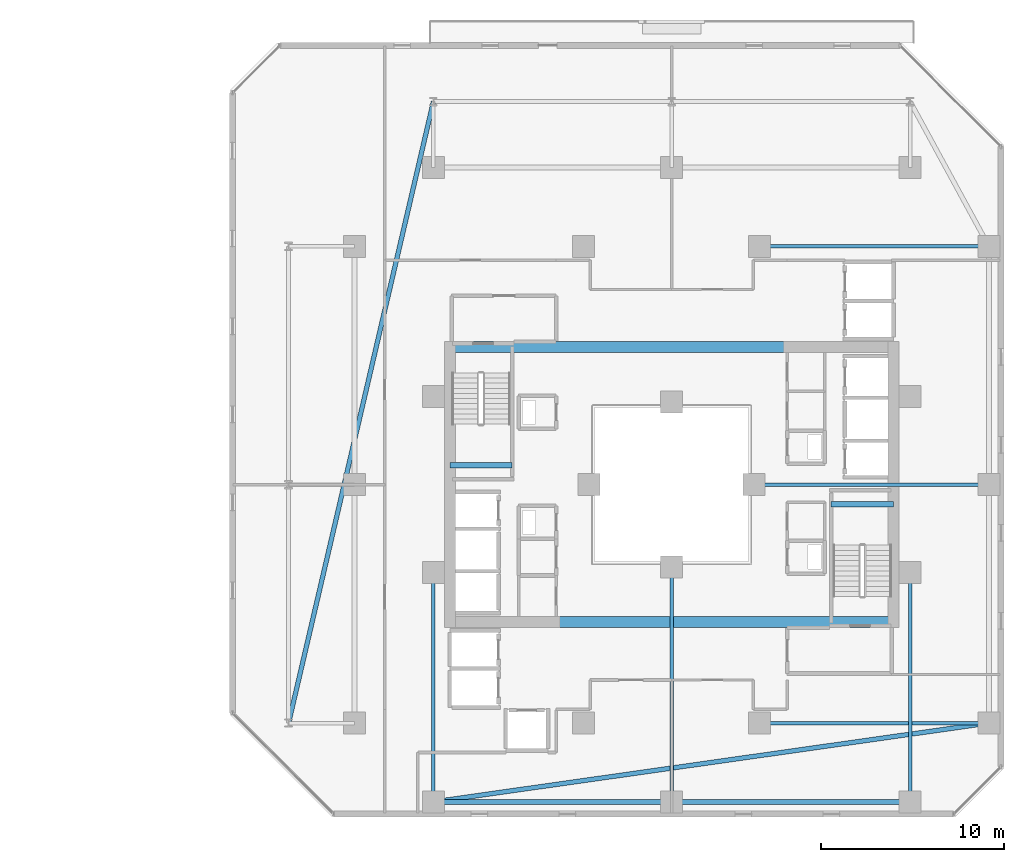
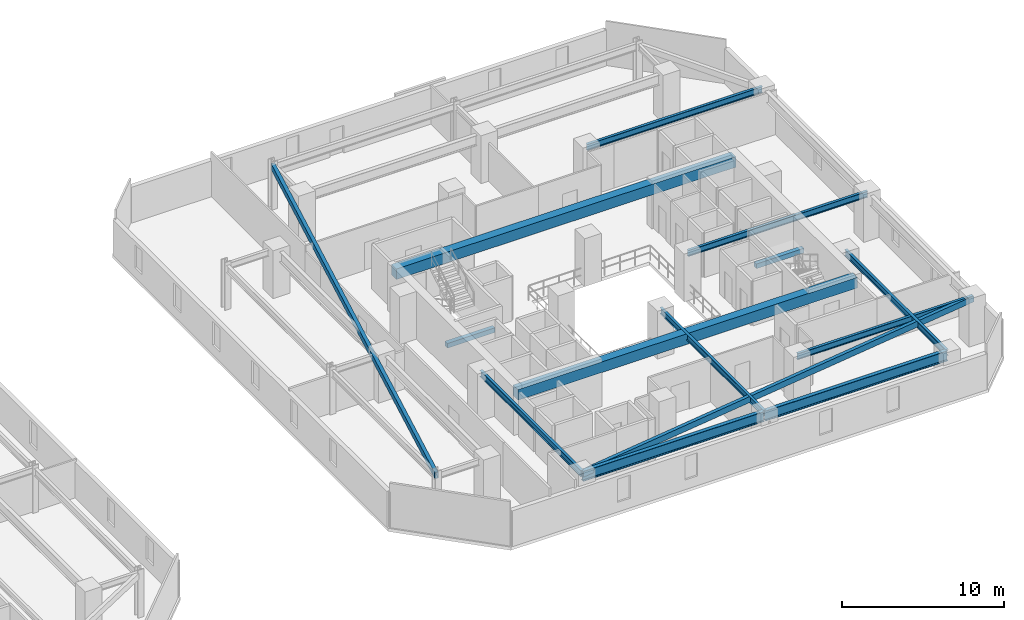
# One storey, part 11 of 29: 14 beams.
"""IFC4 building model written with IfcOpenShell, lengths in metres."""

import ifcopenshell
import ifcopenshell.guid

model = None  # the IFC model being written
_history = None  # IfcOwnerHistory: only IFC2X3 demands one
_inside = {}  # id of a spatial element -> (the spatial element, [elements in it])
_under = {}  # id of a project, library or spatial element -> (it, [spatial elements below it])
_declared = {}  # id of a project -> (the project, [libraries it declares])
_typed = {}  # id of a type object -> (the type object, [elements of that type])
_made_of = {}  # id of a material, layer set ... -> (it, [elements and type objects made of it])


def new_model(schema):
    """Start an empty IFC model of exactly this schema.

    Asked for "IFC4X3", IfcOpenShell would pick the latest addendum, in which some entities
    have other attributes; the version numbers below select the first issue.
    IFC2X3 requires an IfcOwnerHistory on every rooted entity: one is made here for all.
    """
    global model, _history
    if schema == "IFC4X3":
        model = ifcopenshell.file(schema_version=(4, 3, 0, 0))
    else:
        model = ifcopenshell.file(schema=schema)
    _inside.clear()
    _under.clear()
    _declared.clear()
    _typed.clear()
    _made_of.clear()
    _history = None
    if model.schema == "IFC2X3":
        org = make("IfcOrganization", Name="unknown")
        user = make(
            "IfcPersonAndOrganization",
            ThePerson=make("IfcPerson", FamilyName="unknown"),
            TheOrganization=org,
        )
        app = make(
            "IfcApplication",
            ApplicationDeveloper=org,
            Version="unknown",
            ApplicationFullName="unknown",
            ApplicationIdentifier="unknown",
        )
        _history = make(
            "IfcOwnerHistory",
            OwningUser=user,
            OwningApplication=app,
            ChangeAction="ADDED",
            CreationDate=0,
        )
    return model


def make(cls, **values):
    """One entity of the class cls with the attributes given. An attribute that is None is left unset."""
    return model.create_entity(
        cls, **{name: value for name, value in values.items() if value is not None}
    )


def rooted(cls, **values):
    """An entity with a GlobalId (a new one), such as an element, a storey or a relation."""
    return make(cls, GlobalId=ifcopenshell.guid.new(), OwnerHistory=_history, **values)


def si_unit(unit_type, name, prefix=None):
    """IfcSIUnit, for example si_unit("LENGTHUNIT", "METRE", prefix="MILLI")."""
    return make("IfcSIUnit", UnitType=unit_type, Prefix=prefix, Name=name)


def assignment(units):
    """IfcUnitAssignment: the units of a project."""
    return None if units is None else make("IfcUnitAssignment", Units=units)


def point(xyz):
    """IfcCartesianPoint."""
    return None if xyz is None else make("IfcCartesianPoint", Coordinates=xyz)


def direction(xyz):
    """IfcDirection."""
    return None if xyz is None else make("IfcDirection", DirectionRatios=xyz)


def frame(location, z_axis=None, x_axis=None):
    """IfcAxis2Placement3D, a coordinate frame: its origin and axes. An axis left out is left unset."""
    return make(
        "IfcAxis2Placement3D",
        Location=point(location),
        Axis=direction(z_axis),
        RefDirection=direction(x_axis),
    )


def frame_2d(location, x_axis=None):
    """IfcAxis2Placement2D, a coordinate frame in the plane: its origin and x axis."""
    return make(
        "IfcAxis2Placement2D", Location=point(location), RefDirection=direction(x_axis)
    )


def origin():
    """The frame at (0, 0, 0) with its axes left unset."""
    return frame((0.0, 0.0, 0.0))


def origin_2d():
    """The frame at (0, 0) in the plane with its x axis left unset."""
    return frame_2d((0.0, 0.0))


def place(relative_to, where):
    """IfcLocalPlacement: puts the frame where relative to a parent placement (None: the world)."""
    return make(
        "IfcLocalPlacement", PlacementRelTo=relative_to, RelativePlacement=where
    )


def context(
    kind, dimensions, precision=None, world=None, true_north=None, identifier=None
):
    """IfcGeometricRepresentationContext, for example the 3D "Model" context."""
    return make(
        "IfcGeometricRepresentationContext",
        ContextIdentifier=identifier,
        ContextType=kind,
        CoordinateSpaceDimension=dimensions,
        Precision=precision,
        WorldCoordinateSystem=world,
        TrueNorth=true_north,
    )


def subcontext(parent, identifier, kind, view, scale=None):
    """IfcGeometricRepresentationSubContext, for example "Body" below "Model"."""
    return make(
        "IfcGeometricRepresentationSubContext",
        ContextIdentifier=identifier,
        ContextType=kind,
        ParentContext=parent,
        TargetScale=scale,
        TargetView=view,
    )


def project(units=None, contexts=None):
    """IfcProject with its units and contexts."""
    return rooted(
        "IfcProject",
        Name="project",
        RepresentationContexts=contexts,
        UnitsInContext=assignment(units),
    )


def spatial(cls, under=None, at=None, **own):
    """A site, building, storey or space (cls), placed at a placement, below another one or the project."""
    s = rooted(cls, ObjectPlacement=at, **own)
    if under is not None:
        _under.setdefault(under.id(), (under, []))[1].append(s)
    return s


def profile(cls, at=None, kind="AREA", **sizes):
    """A parametric profile (cls). Its sizes go by their IFC names, for example OverallWidth=200.0."""
    return make(cls, ProfileType=kind, Position=at, **sizes)


def rectangle(**sizes):
    """IfcRectangleProfileDef."""
    return profile("IfcRectangleProfileDef", **sizes)


def hollow_rectangle(**sizes):
    """IfcRectangleHollowProfileDef."""
    return profile("IfcRectangleHollowProfileDef", **sizes)


def i_section(**sizes):
    """IfcIShapeProfileDef."""
    return profile("IfcIShapeProfileDef", **sizes)


def extrude(swept, where, along, depth):
    """IfcExtrudedAreaSolid: the profile swept, set in the frame where, extruded along a direction by depth."""
    return make(
        "IfcExtrudedAreaSolid",
        SweptArea=swept,
        Position=where,
        ExtrudedDirection=direction(along),
        Depth=depth,
    )


def shape(context_of_items, identifier, shape_type, items):
    """IfcShapeRepresentation: the items that make up one representation, for example the "Body"."""
    return make(
        "IfcShapeRepresentation",
        ContextOfItems=context_of_items,
        RepresentationIdentifier=identifier,
        RepresentationType=shape_type,
        Items=items,
    )


def material(Name=None, Category=None):
    """IfcMaterial."""
    return make("IfcMaterial", Name=Name, Category=Category)


def material_profile(
    of_material, cross_section, Name=None, Category=None, Priority=None
):
    """IfcMaterialProfile: a cross section and its material."""
    return make(
        "IfcMaterialProfile",
        Name=Name,
        Material=of_material,
        Profile=cross_section,
        Priority=Priority,
        Category=Category,
    )


def profile_set(profiles, Name=None, composite=None):
    """IfcMaterialProfileSet."""
    return make(
        "IfcMaterialProfileSet",
        Name=Name,
        MaterialProfiles=profiles,
        CompositeProfile=composite,
    )


def made_of(thing, what):
    """Note that an element or type object is made of a material, layer set ...; save() writes the relation."""
    if what is not None:
        _made_of.setdefault(what.id(), (what, []))[1].append(thing)
    return thing


def type_object(cls, material=None, **own):
    """A type object (cls), such as IfcWallType, which elements share."""
    return made_of(rooted(cls, **own), material)


def element(
    cls,
    number,
    at=None,
    inside=None,
    cuts=None,
    type_object=None,
    material=None,
    context=None,
    identifier="Body",
    shape_type=None,
    held_by="IfcProductDefinitionShape",
    body=None,
    shapes=None,
    **own,
):
    """One element of the class cls, such as IfcWall. Its Tag is "e" and its number.

    at: its placement. inside: the storey or other place that contains it. cuts: it is an
    opening in that element (IfcRelVoidsElement). A single representation is given by context,
    identifier, shape_type and body (its items); several are given by shapes. held_by: the class
    of the entity that holds the representations. save() writes the other relations.
    """
    e = rooted(cls, Tag="e%d" % number, ObjectPlacement=at, **own)
    if body is not None:
        shapes = [shape(context, identifier, shape_type, body)]
    if shapes is not None:
        e.Representation = make(held_by, Representations=shapes)
    if inside is not None:
        _inside.setdefault(inside.id(), (inside, []))[1].append(e)
    if cuts is not None:
        rooted(
            "IfcRelVoidsElement", RelatingBuildingElement=cuts, RelatedOpeningElement=e
        )
    if type_object is not None:
        _typed.setdefault(type_object.id(), (type_object, []))[1].append(e)
    return made_of(e, material)


def aggregate(whole, parts):
    """IfcRelAggregates: a whole, such as a stair, and the parts it consists of."""
    return rooted("IfcRelAggregates", RelatingObject=whole, RelatedObjects=parts)


def save(model, path):
    """Write the relations noted so far, then the file.

    IfcRelAggregates (storeys below a building ...), IfcRelContainedInSpatialStructure (elements
    in a storey), IfcRelDefinesByType, IfcRelAssociatesMaterial and IfcRelDeclares: one each for
    every whole, place, type object, material and project.
    """
    for whole, parts in _under.values():
        aggregate(whole, parts)
    for where, things in _inside.values():
        rooted(
            "IfcRelContainedInSpatialStructure",
            RelatedElements=things,
            RelatingStructure=where,
        )
    for kind, things in _typed.values():
        rooted("IfcRelDefinesByType", RelatedObjects=things, RelatingType=kind)
    for what, things in _made_of.values():
        rooted("IfcRelAssociatesMaterial", RelatedObjects=things, RelatingMaterial=what)
    for by, libraries in _declared.values():
        rooted("IfcRelDeclares", RelatingContext=by, RelatedDefinitions=libraries)
    model.write(path)


model = new_model("IFC4")

# Units and contexts
model_context = context("Model", 3, precision=1e-05, world=origin(), true_north=direction((0.0, 1.0)))
body_context = subcontext(model_context, "Body", "Model", "MODEL_VIEW")
ifc_project = project(units=[si_unit("LENGTHUNIT", "METRE"), si_unit("AREAUNIT", "SQUARE_METRE"), si_unit("VOLUMEUNIT", "CUBIC_METRE"), si_unit("PLANEANGLEUNIT", "RADIAN"), si_unit("MASSUNIT", "GRAM", prefix="KILO")], contexts=[model_context])

# Site, building, storey
site_placement = place(None, origin())
site = spatial("IfcSite", under=ifc_project, at=site_placement, CompositionType="ELEMENT")
building_placement = place(site_placement, origin())
building = spatial("IfcBuilding", under=site, at=building_placement, Name="Thornwick Lancets Civic Towers", CompositionType="ELEMENT")
storey_placement = place(building_placement, frame((0.0, 0.0, 83.699951171875)))
storey = spatial("IfcBuildingStorey", under=building, at=storey_placement, Name="L21", CompositionType="ELEMENT", Elevation=83.699951171875)

# Beams
ifc_material_1 = material(Name="Concrete C60/75", Category="concrete")
ifc_material_profile_1 = material_profile(ifc_material_1, rectangle(XDim=0.60009765625, YDim=0.800048828125, at=origin_2d()), Name="RC 600x800")
ifc_profile_set_1 = profile_set([ifc_material_profile_1], Name="Concrete C60/75")
beam_type_1 = type_object("IfcBeamType", Name="BM_COUP_RC800", PredefinedType="BEAM", material=ifc_profile_set_1)
for number, where, z_axis, x_axis, name in (
    (1, (76.39990234375, 34.5, 2.9599609375), (1.0, 0.0, 0.0), (0.0, 1.0, 0.0), "CB-L21-B1"),
    (2, (76.39990234375, 19.5, 2.9599609375), (1.0, 0.0, 0.0), (0.0, 1.0, 0.0), "CB-L21-B2"),
):
    element("IfcBeam", number, at=place(storey_placement, frame(where, z_axis=z_axis, x_axis=x_axis)), inside=storey, type_object=beam_type_1, Name=name, PredefinedType="BEAM", context=body_context, shape_type="SweptSolid", body=[
        extrude(rectangle(XDim=0.60009765625, YDim=0.800048828125, at=origin_2d()), origin(), (0.0, 0.0, 1.0), 24.2001953125),
    ])
ifc_material_2 = material(Name="Steel S355JR", Category="steel")
ifc_material_profile_2 = material_profile(ifc_material_2, i_section(OverallWidth=0.26806640625, OverallDepth=0.769775390625, WebThickness=0.015625, FlangeThickness=0.025390625, FilletRadius=0.0166015625, at=origin_2d()), Name="UKB 762x267x197")
ifc_profile_set_2 = profile_set([ifc_material_profile_2], Name="Steel S355JR")
beam_type_2 = type_object("IfcBeamType", Name="BM_GIRD_762_197", PredefinedType="BEAM", material=ifc_profile_set_2)
beam_1_placement = place(storey_placement, frame((101.5, 9.699951171875, 2.97509765625), z_axis=(-1.0, 0.0, 0.0), x_axis=(0.0, -1.0, 0.0)))
element("IfcBeam", 3, at=beam_1_placement, inside=storey, type_object=beam_type_2, Name="BM-SPINE-L21-B-9-10", PredefinedType="BEAM", context=body_context, shape_type="SweptSolid", body=[
    extrude(i_section(OverallWidth=0.26806640625, OverallDepth=0.769775390625, WebThickness=0.015625, FlangeThickness=0.025390625, FilletRadius=0.0166015625, at=origin_2d()), origin(), (0.0, 0.0, 1.0), 13.0),
])
beam_2_placement = place(storey_placement, frame((88.419921875, 9.699951171875, 2.97509765625), z_axis=(-1.0, 0.0, 0.0), x_axis=(0.0, -1.0, 0.0)))
element("IfcBeam", 4, at=beam_2_placement, inside=storey, type_object=beam_type_2, Name="BM-SPINE-L21-B-10-11", PredefinedType="BEAM", context=body_context, shape_type="SweptSolid", body=[
    extrude(i_section(OverallWidth=0.26806640625, OverallDepth=0.769775390625, WebThickness=0.015625, FlangeThickness=0.025390625, FilletRadius=0.0166015625, at=origin_2d()), origin(), (0.0, 0.0, 1.0), 12.919921875),
])
ifc_material_profile_3 = material_profile(ifc_material_2, i_section(OverallWidth=0.19189453125, OverallDepth=0.46337890625, WebThickness=0.010498046875, FlangeThickness=0.017578125, FilletRadius=0.01025390625, at=origin_2d()), Name="UKB 457x191x89")
ifc_profile_set_3 = profile_set([ifc_material_profile_3], Name="Steel S355JR")
beam_type_3 = type_object("IfcBeamType", Name="BM_JOIST_457_89", PredefinedType="JOIST", material=ifc_profile_set_3)
beam_3_placement = place(storey_placement, frame((93.300048828125, 14.0, 3.12841796875), z_axis=(1.0, 0.0, 0.0), x_axis=(0.0, 1.0, 0.0)))
element("IfcBeam", 5, at=beam_3_placement, inside=storey, type_object=beam_type_3, Name="BM-RADIN-L21-B01", PredefinedType="JOIST", context=body_context, shape_type="SweptSolid", body=[
    extrude(i_section(OverallWidth=0.19189453125, OverallDepth=0.46337890625, WebThickness=0.010498046875, FlangeThickness=0.017578125, FilletRadius=0.01025390625, at=origin_2d()), origin(), (0.0, 0.0, 1.0), 12.5),
])
beam_4_placement = place(storey_placement, frame((93.0, 27.0, 3.12841796875), z_axis=(1.0, 0.0, 0.0), x_axis=(0.0, 1.0, 0.0)))
element("IfcBeam", 6, at=beam_4_placement, inside=storey, type_object=beam_type_3, Name="BM-RADIN-L21-B02", PredefinedType="JOIST", context=body_context, shape_type="SweptSolid", body=[
    extrude(i_section(OverallWidth=0.19189453125, OverallDepth=0.46337890625, WebThickness=0.010498046875, FlangeThickness=0.017578125, FilletRadius=0.01025390625, at=origin_2d()), origin(), (0.0, 0.0, 1.0), 12.800048828125),
])
for number, where, z_axis, x_axis, name in (
    (7, (93.300048828125, 40.0, 3.12841796875), (1.0, 0.0, 0.0), (0.0, 1.0, 0.0), "BM-RADIN-L21-B03"),
    (8, (101.5, 22.199951171875, 3.12841796875), (0.0, -1.0, 0.0), (1.0, 0.0, 0.0), "BM-RADIN-L21-B10"),
):
    element("IfcBeam", number, at=place(storey_placement, frame(where, z_axis=z_axis, x_axis=x_axis)), inside=storey, type_object=beam_type_3, Name=name, PredefinedType="JOIST", context=body_context, shape_type="SweptSolid", body=[
        extrude(i_section(OverallWidth=0.19189453125, OverallDepth=0.46337890625, WebThickness=0.010498046875, FlangeThickness=0.017578125, FilletRadius=0.01025390625, at=origin_2d()), origin(), (0.0, 0.0, 1.0), 12.5),
    ])
beam_5_placement = place(storey_placement, frame((88.5, 22.5, 3.12841796875), z_axis=(0.0, -1.0, 0.0), x_axis=(1.0, 0.0, 0.0)))
element("IfcBeam", 9, at=beam_5_placement, inside=storey, type_object=beam_type_3, Name="BM-RADIN-L21-B11", PredefinedType="JOIST", context=body_context, shape_type="SweptSolid", body=[
    extrude(i_section(OverallWidth=0.19189453125, OverallDepth=0.46337890625, WebThickness=0.010498046875, FlangeThickness=0.017578125, FilletRadius=0.01025390625, at=origin_2d()), origin(), (0.0, 0.0, 1.0), 12.800048828125),
])
beam_6_placement = place(storey_placement, frame((75.5, 22.199951171875, 3.12841796875), z_axis=(0.0, -1.0, 0.0), x_axis=(1.0, 0.0, 0.0)))
element("IfcBeam", 10, at=beam_6_placement, inside=storey, type_object=beam_type_3, Name="BM-RADIN-L21-B12", PredefinedType="JOIST", context=body_context, shape_type="SweptSolid", body=[
    extrude(i_section(OverallWidth=0.19189453125, OverallDepth=0.46337890625, WebThickness=0.010498046875, FlangeThickness=0.017578125, FilletRadius=0.01025390625, at=origin_2d()), origin(), (0.0, 0.0, 1.0), 12.5),
])
ifc_material_profile_4 = material_profile(ifc_material_2, hollow_rectangle(XDim=0.25, YDim=0.449951171875, WallThickness=0.01611328125, at=origin_2d()), Name="RHS 450x250x16")
ifc_profile_set_4 = profile_set([ifc_material_profile_4], Name="Steel S355JR")
beam_type_4 = type_object("IfcBeamType", Name="BM_RING_RHS450", PredefinedType="BEAM", material=ifc_profile_set_4)
beam_7_placement = place(storey_placement, frame((75.5, 47.89990234375, 3.135009765625), z_axis=(-0.226955111866, -0.973905219823, 0.0), x_axis=(0.973905219823, -0.226955111866, 0.0)))
element("IfcBeam", 11, at=beam_7_placement, inside=storey, type_object=beam_type_4, Name="BM-CHAMF-L21-B-C1", PredefinedType="BEAM", context=body_context, shape_type="SweptSolid", body=[
    extrude(hollow_rectangle(XDim=0.25, YDim=0.449951171875, WallThickness=0.01611328125, at=origin_2d()), origin(), (0.0, 0.0, 1.0), 34.80810546875),
])
beam_8_placement = place(storey_placement, frame((75.5, 9.699951171875, 3.135009765625), z_axis=(0.990079584012, 0.140507712682, 0.0), x_axis=(-0.140507712682, 0.990079584012, 0.0)))
element("IfcBeam", 12, at=beam_8_placement, inside=storey, type_object=beam_type_4, Name="BM-CHAMF-L21-B-C3", PredefinedType="BEAM", context=body_context, shape_type="SweptSolid", body=[
    extrude(hollow_rectangle(XDim=0.25, YDim=0.449951171875, WallThickness=0.01611328125, at=origin_2d()), origin(), (0.0, 0.0, 1.0), 30.603759765625),
])
ifc_material_3 = material(Name="Concrete C40/50", Category="concrete")
ifc_material_profile_5 = material_profile(ifc_material_3, rectangle(XDim=0.300048828125, YDim=0.35009765625, at=origin_2d()), Name="RC 300x350")
ifc_profile_set_5 = profile_set([ifc_material_profile_5], Name="Concrete C40/50")
beam_type_5 = type_object("IfcBeamType", Name="BM_STAIR_LDG", PredefinedType="BEAM", material=ifc_profile_set_5)
for number, where, z_axis, x_axis, name in (
    (13, (100.60009765625, 25.93505859375, 1.3779296875), (-1.0, 0.0, 0.0), (0.0, -1.0, 0.0), "L21 ST-B1 Landing Support Beam 1"),
    (14, (76.39990234375, 28.06494140625, 1.3779296875), (1.0, 0.0, 0.0), (0.0, 1.0, 0.0), "L21 ST-B2 Landing Support Beam 1"),
):
    element("IfcBeam", number, at=place(storey_placement, frame(where, z_axis=z_axis, x_axis=x_axis)), inside=storey, type_object=beam_type_5, Name=name, PredefinedType="BEAM", context=body_context, shape_type="SweptSolid", body=[
        extrude(rectangle(XDim=0.300048828125, YDim=0.35009765625, at=origin_2d()), origin(), (0.0, 0.0, 1.0), 3.400146484375),
    ])

save(model, "model.ifc")
